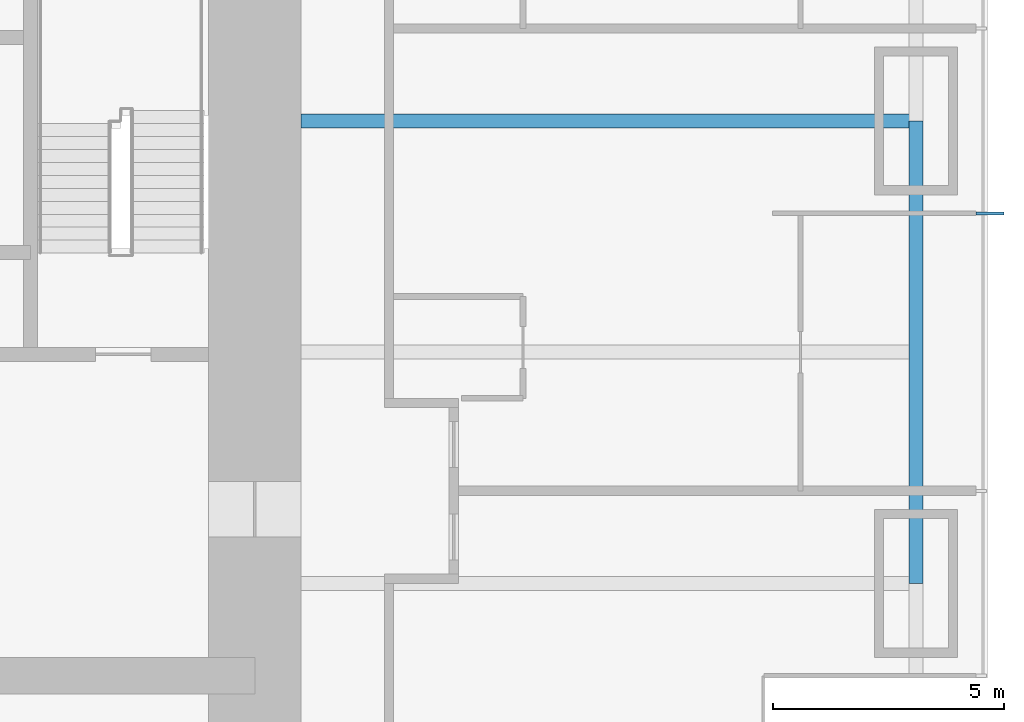
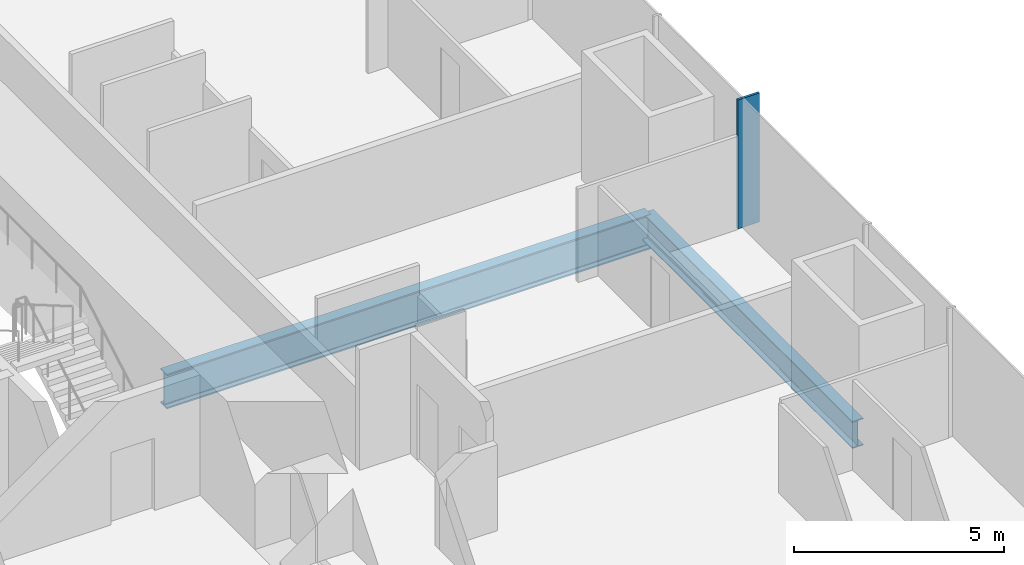
# One storey, part 5 of 16: 2 beams, 1 member, 1 element without a shape of its own.
"""IFC4 building model written with IfcOpenShell, lengths in metres."""

from ifc_helpers import new_model, si_unit, direction, frame, origin, origin_2d, place, context, subcontext, project, spatial, rectangle, i_section, extrude, material, material_profile, profile_set, type_object, element, aggregate, save


model = new_model("IFC4")

# Units and contexts
model_context = context("Model", 3, precision=1e-05, world=origin(), true_north=direction((0.0, 1.0)))
body_context = subcontext(model_context, "Body", "Model", "MODEL_VIEW")
ifc_project = project(units=[si_unit("LENGTHUNIT", "METRE"), si_unit("AREAUNIT", "SQUARE_METRE"), si_unit("VOLUMEUNIT", "CUBIC_METRE"), si_unit("PLANEANGLEUNIT", "RADIAN"), si_unit("MASSUNIT", "GRAM", prefix="KILO")], contexts=[model_context])

# Site, building, storey
site_placement = place(None, origin())
site = spatial("IfcSite", under=ifc_project, at=site_placement, CompositionType="ELEMENT")
building_placement = place(site_placement, origin())
building = spatial("IfcBuilding", under=site, at=building_placement, Name="Khuree Lantern Residences", CompositionType="ELEMENT")
storey_placement = place(building_placement, frame((0.0, 0.0, 66.0)))
storey = spatial("IfcBuildingStorey", under=building, at=storey_placement, Name="L16", CompositionType="ELEMENT", Elevation=66.0)

# Beam
ifc_material_1 = material(Name="Steel S355", Category="steel")
ifc_material_profile_1 = material_profile(ifc_material_1, i_section(OverallWidth=0.300048828125, OverallDepth=0.7900390625, WebThickness=0.014892578125, FlangeThickness=0.028076171875, FilletRadius=0.030029296875, at=origin_2d()), Name="HE 800 A")
ifc_profile_set_1 = profile_set([ifc_material_profile_1], Name="Steel S355")
beam_type_1 = type_object("IfcBeamType", Name="E-14 SPANDREL BEAM HE 800 A", PredefinedType="SPANDREL", material=ifc_profile_set_1)
beam_1_placement = place(storey_placement, frame((29.800048828125, 0.0, -0.64501953125), z_axis=(0.0, -1.0, 0.0), x_axis=(1.0, 0.0, 0.0)))
element("IfcBeam", 1, at=beam_1_placement, inside=storey, type_object=beam_type_1, Name="Spandrel beam E4", PredefinedType="SPANDREL", context=body_context, shape_type="SweptSolid", body=[
    extrude(i_section(OverallWidth=0.300048828125, OverallDepth=0.7900390625, WebThickness=0.014892578125, FlangeThickness=0.028076171875, FilletRadius=0.030029296875, at=origin_2d()), origin(), (0.0, 0.0, 1.0), 10.0),
])

# Curtain wall, member
ifc_material_2 = material(Name="Bronze anodised aluminium", Category="aluminium")
curtain_wall_type = type_object("IfcCurtainWallType", Name="CW-T1 TOWER FACE CURTAIN WALL", PredefinedType="USERDEFINED", material=ifc_material_2)
curtain_wall_placement = place(storey_placement, origin())
curtain_wall = element("IfcCurtainWall", 2, at=curtain_wall_placement, inside=storey, type_object=curtain_wall_type, Name="L16 EAST FACE CURTAIN WALL", ObjectType="Stick-built curtain wall", PredefinedType="USERDEFINED")
ifc_material_profile_2 = material_profile(ifc_material_2, rectangle(XDim=0.06494140625, YDim=0.60009765625, at=origin_2d()), Name="F1 65X600")
ifc_profile_set_2 = profile_set([ifc_material_profile_2], Name="Bronze anodised aluminium")
member_type = type_object("IfcMemberType", Name="F1 BRONZE FIN MULLION TOWER 65X600", PredefinedType="MULLION", material=ifc_profile_set_2)
member_placement = place(storey_placement, frame((31.39990234375, -2.0, 0.0), z_axis=(0.0, 0.0, 1.0), x_axis=(0.0, 1.0, 0.0)))
member = element("IfcMember", 3, at=member_placement, type_object=member_type, Name="L16 EAST FACE FIN MULLION 9", PredefinedType="MULLION", context=body_context, shape_type="SweptSolid", body=[
    extrude(rectangle(XDim=0.06494140625, YDim=0.60009765625, at=origin_2d()), origin(), (0.0, 0.0, 1.0), 3.75),
])
aggregate(curtain_wall, [member])

# Beam
ifc_material_profile_3 = material_profile(ifc_material_1, i_section(OverallWidth=0.302001953125, OverallDepth=1.008056640625, WebThickness=0.02099609375, FlangeThickness=0.0400390625, FilletRadius=0.030029296875, at=origin_2d()), Name="HE 1000 M")
ifc_profile_set_3 = profile_set([ifc_material_profile_3], Name="Steel S355")
beam_type_2 = type_object("IfcBeamType", Name="G-14 GIRDER HE 1000 M", PredefinedType="BEAM", material=ifc_profile_set_3)
beam_2_placement = place(storey_placement, frame((29.800048828125, 0.0, -0.75390625), z_axis=(-1.0, 0.0, 0.0), x_axis=(0.0, -1.0, 0.0)))
element("IfcBeam", 4, at=beam_2_placement, inside=storey, type_object=beam_type_2, Name="Girder E3", PredefinedType="BEAM", context=body_context, shape_type="SweptSolid", body=[
    extrude(i_section(OverallWidth=0.302001953125, OverallDepth=1.008056640625, WebThickness=0.02099609375, FlangeThickness=0.0400390625, FilletRadius=0.030029296875, at=origin_2d()), origin(), (0.0, 0.0, 1.0), 13.300048828125),
])

save(model, "model.ifc")
